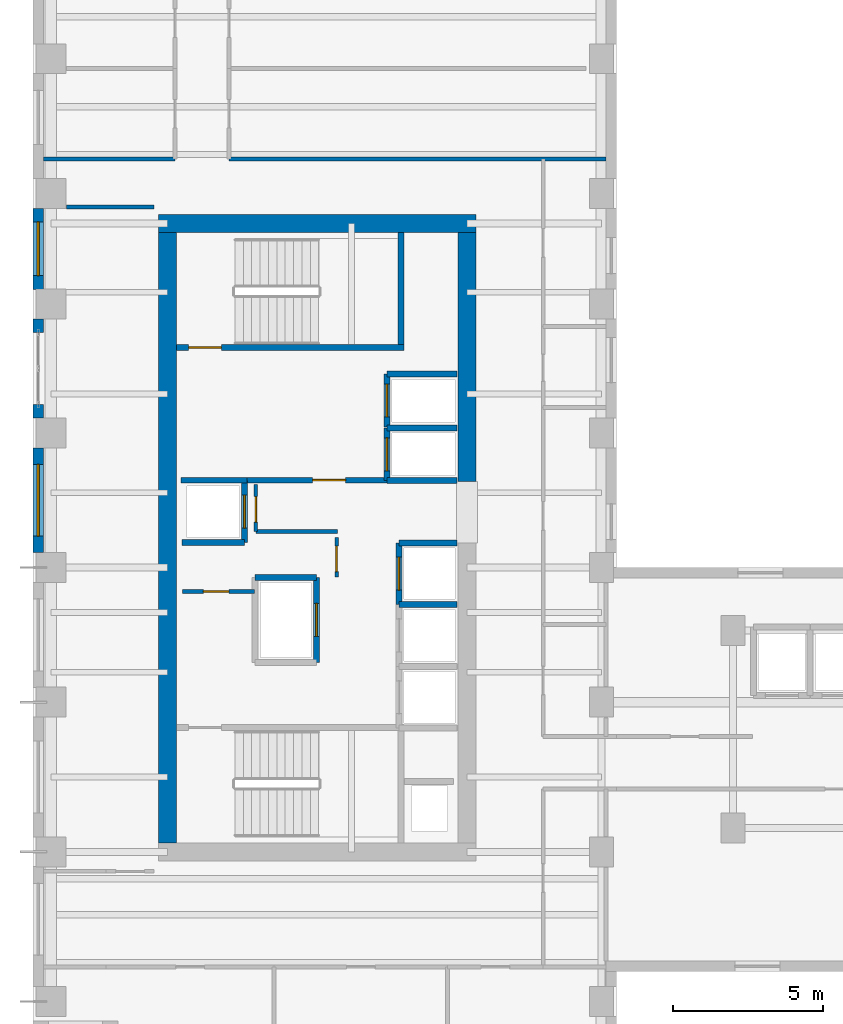
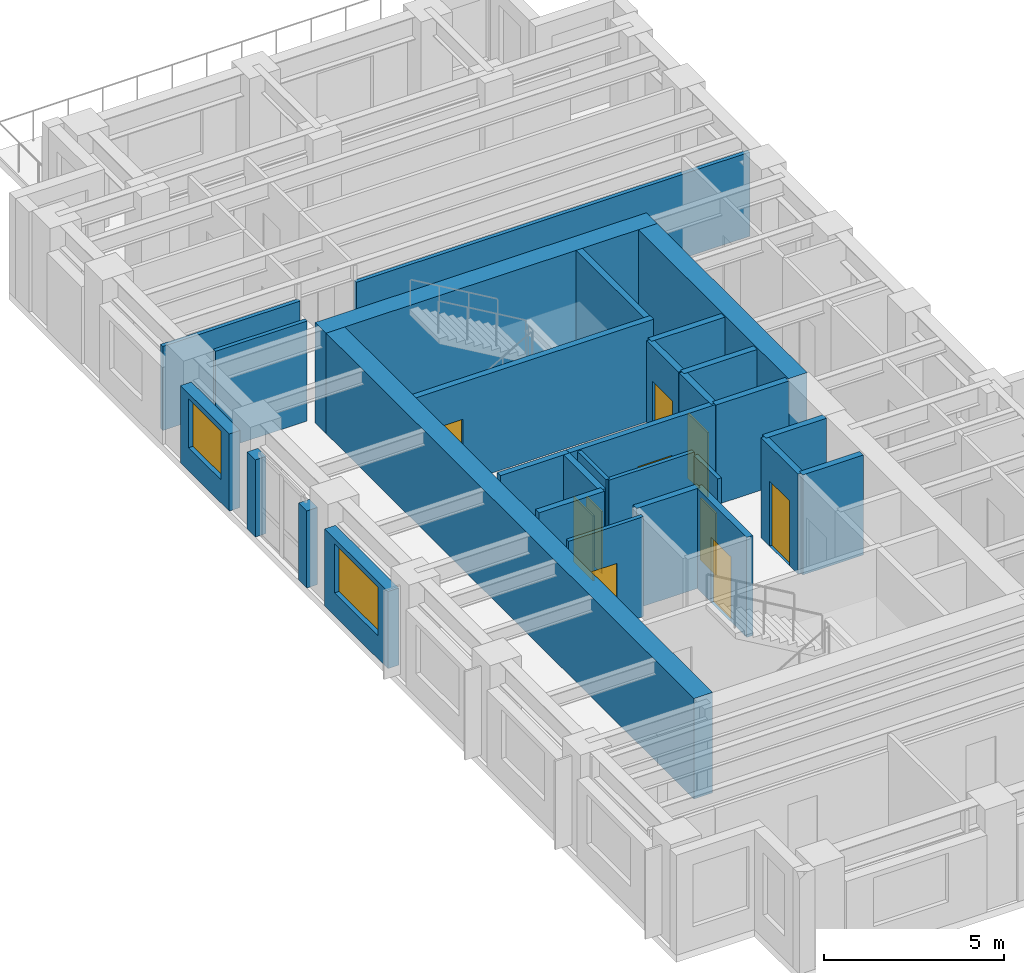
# One storey, part 6 of 13: 30 walls, 10 doors, 2 windows, 12 openings.
"""IFC4 building model written with IfcOpenShell, lengths in metres."""

from ifc_helpers import new_model, si_unit, direction, frame, frame_2d, origin, place, context, subcontext, project, spatial, rectangle, extrude, source, transform, mapped, material, layer, layer_set, type_object, element, fill, save


model = new_model("IFC4")

# Units and contexts
model_context = context("Model", 3, precision=1e-05, world=origin(), true_north=direction((0.0, 1.0)))
body_context = subcontext(model_context, "Body", "Model", "MODEL_VIEW")
ifc_project = project(units=[si_unit("LENGTHUNIT", "METRE"), si_unit("AREAUNIT", "SQUARE_METRE"), si_unit("VOLUMEUNIT", "CUBIC_METRE"), si_unit("PLANEANGLEUNIT", "RADIAN"), si_unit("MASSUNIT", "GRAM", prefix="KILO")], contexts=[model_context])

# Site, building, storey
site_placement = place(None, origin())
site = spatial("IfcSite", under=ifc_project, at=site_placement, CompositionType="ELEMENT")
building_placement = place(site_placement, origin())
building = spatial("IfcBuilding", under=site, at=building_placement, Name="Kharzan Plaza Tower", CompositionType="ELEMENT")
storey_placement = place(building_placement, frame((0.0, 0.0, 143.10009765625)))
storey = spatial("IfcBuildingStorey", under=building, at=storey_placement, Name="L38", CompositionType="ELEMENT", Elevation=143.10009765625)

# Wall, opening, window
ifc_material_1 = material(Name="Concrete C40/50", Category="concrete")
ifc_layer_1 = layer(ifc_material_1, 0.35009765625)
ifc_layer_set_1 = layer_set([ifc_layer_1], Name="Concrete C40/50")
wall_type_1 = type_object("IfcWallType", Name="WL-EXT-MAS-Z3", PredefinedType="SOLIDWALL", material=ifc_layer_set_1)
wall_1_placement = place(storey_placement, frame((0.175048828125, 30.001953125, 0.0), z_axis=(0.0, 0.0, 1.0), x_axis=(0.0, -1.0, 0.0)))
wall_1 = element("IfcWall", 1, at=wall_1_placement, inside=storey, type_object=wall_type_1, Name="L38 Masonry-Frame Exterior Wall 12", PredefinedType="SOLIDWALL", context=body_context, shape_type="SweptSolid", body=[
    extrude(rectangle(XDim=2.703857421875, YDim=0.35009765625, at=frame_2d((1.35205078125, 0.0))), origin(), (0.0, 0.0, 1.0), 2.61181640625),
])
opening_1_placement = place(wall_1_placement, frame((0.451904296875, 0.0, 0.780029296875)))
opening_1 = element("IfcOpeningElement", 2, at=opening_1_placement, cuts=wall_1, Name="Opening W1", PredefinedType="OPENING", context=body_context, shape_type="SweptSolid", body=[
    extrude(rectangle(XDim=1.800048828125, YDim=1.652099609375, at=frame_2d((0.89990234375, 0.826171875))), frame((0.0, 0.18505859375, 0.0), z_axis=(0.0, -1.0, 0.0), x_axis=(1.0, 0.0, 0.0)), (0.0, 0.0, 1.0), 0.3701171875),
])
ifc_material_2 = material(Name="Low-E Double Glazing", Category="glass")
window_type_1 = type_object("IfcWindowType", Name="WN-REC-1800x2100", PartitioningType="SINGLE_PANEL", PredefinedType="WINDOW", material=ifc_material_2)
shared_shape_1 = source(origin(), body_context, "Body", "SweptSolid", [
    extrude(rectangle(XDim=1.800048828125, YDim=1.652099609375, at=frame_2d((0.89990234375, 0.826171875))), frame((0.0, 0.030029296875, 0.0), z_axis=(0.0, -1.0, 0.0), x_axis=(1.0, 0.0, 0.0)), (0.0, 0.0, 1.0), 0.06005859375),
])
window_1_placement = place(opening_1_placement, origin())
window_1 = element("IfcWindow", 3, at=window_1_placement, inside=storey, type_object=window_type_1, Name="L38 Recessed Solar-Control Window 12-1", OverallHeight=1.652099609375, OverallWidth=1.800048828125, PartitioningType="SINGLE_PANEL", PredefinedType="WINDOW", context=body_context, shape_type="MappedRepresentation", body=[
    mapped(shared_shape_1, transform((0.0, 0.0, 0.0), x_axis=(1.0, 0.0, 0.0), y_axis=(0.0, 1.0, 0.0), z_axis=(0.0, 0.0, 1.0))),
])
fill(opening_1, window_1)

wall_2_placement = place(storey_placement, frame((0.175048828125, 22.001953125, 0.0), z_axis=(0.0, 0.0, 1.0), x_axis=(0.0, -1.0, 0.0)))
wall_2 = element("IfcWall", 4, at=wall_2_placement, inside=storey, type_object=wall_type_1, Name="L38 Masonry-Frame Exterior Wall 15", PredefinedType="SOLIDWALL", context=body_context, shape_type="SweptSolid", body=[
    extrude(rectangle(XDim=3.50390625, YDim=0.35009765625, at=frame_2d((1.751953125, 0.0))), origin(), (0.0, 0.0, 1.0), 2.61181640625),
])
opening_2_placement = place(wall_2_placement, frame((0.552001953125, 0.0, 0.780029296875)))
opening_2 = element("IfcOpeningElement", 5, at=opening_2_placement, cuts=wall_2, Name="Opening W2", PredefinedType="OPENING", context=body_context, shape_type="SweptSolid", body=[
    extrude(rectangle(XDim=2.39990234375, YDim=1.652099609375, at=frame_2d((1.199951171875, 0.826171875))), frame((0.0, 0.18505859375, 0.0), z_axis=(0.0, -1.0, 0.0), x_axis=(1.0, 0.0, 0.0)), (0.0, 0.0, 1.0), 0.3701171875),
])
window_type_2 = type_object("IfcWindowType", Name="WN-REC-2400x2100", PartitioningType="SINGLE_PANEL", PredefinedType="WINDOW", material=ifc_material_2)
shared_shape_2 = source(origin(), body_context, "Body", "SweptSolid", [
    extrude(rectangle(XDim=2.39990234375, YDim=1.652099609375, at=frame_2d((1.199951171875, 0.826171875))), frame((0.0, 0.030029296875, 0.0), z_axis=(0.0, -1.0, 0.0), x_axis=(1.0, 0.0, 0.0)), (0.0, 0.0, 1.0), 0.06005859375),
])
window_2_placement = place(opening_2_placement, origin())
window_2 = element("IfcWindow", 6, at=window_2_placement, inside=storey, type_object=window_type_2, Name="L38 Wide Recessed Solar-Control Window 15-1", OverallHeight=1.652099609375, OverallWidth=2.39990234375, PartitioningType="SINGLE_PANEL", PredefinedType="WINDOW", context=body_context, shape_type="MappedRepresentation", body=[
    mapped(shared_shape_2, transform((0.0, 0.0, 0.0), x_axis=(1.0, 0.0, 0.0), y_axis=(0.0, 1.0, 0.0), z_axis=(0.0, 0.0, 1.0))),
])
fill(opening_2, window_2)

# Wall, opening, door
ifc_layer_2 = layer(ifc_material_1, 0.179931640625)
ifc_layer_set_2 = layer_set([ifc_layer_2], Name="Concrete C40/50")
wall_type_2 = type_object("IfcWallType", Name="WL-INT-FIRE-180", PredefinedType="PARTITIONING", material=ifc_layer_set_2)
wall_3_placement = place(storey_placement, frame((7.14990234375, 20.919921875, 0.0), z_axis=(0.0, 0.0, 1.0), x_axis=(1.0, 0.0, 0.0)))
wall_3 = element("IfcWall", 7, at=wall_3_placement, inside=storey, type_object=wall_type_2, Name="L38 Interior Partition CA-FF-S", PredefinedType="PARTITIONING", context=body_context, shape_type="SweptSolid", body=[
    extrude(rectangle(XDim=4.68017578125, YDim=0.179931640625, at=frame_2d((2.340087890625, 0.0))), origin(), (0.0, 0.0, 1.0), 3.385009765625),
])
opening_3_placement = place(wall_3_placement, frame((2.199951171875, 0.0, 0.0)))
opening_3 = element("IfcOpeningElement", 8, at=opening_3_placement, cuts=wall_3, Name="Opening FD1", PredefinedType="OPENING", context=body_context, shape_type="SweptSolid", body=[
    extrude(rectangle(XDim=1.10009765625, YDim=2.14990234375, at=frame_2d((0.550048828125, 1.074951171875))), frame((0.0, 0.099853515625, 0.0), z_axis=(0.0, -1.0, 0.0), x_axis=(1.0, 0.0, 0.0)), (0.0, 0.0, 1.0), 0.199951171875),
])
ifc_material_3 = material(Name="Fire-Rated Acoustic Vision-Panel Steel", Category="steel")
door_type_1 = type_object("IfcDoorType", Name="DR-FIRE-LOBBY", OperationType="NOTDEFINED", PredefinedType="DOOR", material=ifc_material_3)
shared_shape_3 = source(origin(), body_context, "Body", "SweptSolid", [
    extrude(rectangle(XDim=1.10009765625, YDim=2.14990234375, at=frame_2d((0.550048828125, 1.074951171875))), frame((0.0, 0.02490234375, 0.0), z_axis=(0.0, -1.0, 0.0), x_axis=(1.0, 0.0, 0.0)), (0.0, 0.0, 1.0), 0.050048828125),
])
door_1_placement = place(opening_3_placement, origin())
door_1 = element("IfcDoor", 9, at=door_1_placement, inside=storey, type_object=door_type_1, Name="L38 Firefighting Lobby Door", OperationType="SINGLE_SWING_LEFT", OverallHeight=2.14990234375, OverallWidth=1.10009765625, PredefinedType="DOOR", context=body_context, shape_type="MappedRepresentation", body=[
    mapped(shared_shape_3, transform((0.0, 0.0, 0.0), x_axis=(1.0, 0.0, 0.0), y_axis=(0.0, 1.0, 0.0), z_axis=(0.0, 0.0, 1.0))),
])
fill(opening_3, door_1)

ifc_material_4 = material(Name="Fire-Rated Gypsum Board Partition", Category="gypsum")
ifc_layer_3 = layer(ifc_material_4, 0.125)
ifc_layer_set_3 = layer_set([ifc_layer_3], Name="Fire-Rated Gypsum Board Partition")
wall_type_3 = type_object("IfcWallType", Name="WL-INT-PART-125", PredefinedType="PARTITIONING", material=ifc_layer_set_3)
wall_4_placement = place(storey_placement, frame((10.14990234375, 17.679931640625, 0.0), z_axis=(0.0, 0.0, 1.0), x_axis=(0.0, 1.0, 0.0)))
wall_4 = element("IfcWall", 10, at=wall_4_placement, inside=storey, type_object=wall_type_3, Name="L38 Interior Partition CA-K2A", PredefinedType="PARTITIONING", context=body_context, shape_type="SweptSolid", body=[
    extrude(rectangle(XDim=1.320068359375, YDim=0.125, at=frame_2d((0.66015625, 0.0))), origin(), (0.0, 0.0, 1.0), 3.385009765625),
])
opening_4_placement = place(wall_4_placement, frame((0.18505859375, 0.0, 0.0)))
opening_4 = element("IfcOpeningElement", 11, at=opening_4_placement, cuts=wall_4, Name="Opening RD1", PredefinedType="OPENING", context=body_context, shape_type="SweptSolid", body=[
    extrude(rectangle(XDim=0.85009765625, YDim=2.10009765625, at=frame_2d((0.425048828125, 1.050048828125))), frame((0.0, 0.072509765625, 0.0), z_axis=(0.0, -1.0, 0.0), x_axis=(1.0, 0.0, 0.0)), (0.0, 0.0, 1.0), 0.14501953125),
])
ifc_material_5 = material(Name="Powder-Coated Fire-Rated Steel", Category="steel")
door_type_2 = type_object("IfcDoorType", Name="DR-RISER-900", OperationType="NOTDEFINED", PredefinedType="DOOR", material=ifc_material_5)
shared_shape_4 = source(origin(), body_context, "Body", "SweptSolid", [
    extrude(rectangle(XDim=0.85009765625, YDim=2.10009765625, at=frame_2d((0.425048828125, 1.050048828125))), frame((0.0, 0.02490234375, 0.0), z_axis=(0.0, -1.0, 0.0), x_axis=(1.0, 0.0, 0.0)), (0.0, 0.0, 1.0), 0.050048828125),
])
door_2_placement = place(opening_4_placement, origin())
door_2 = element("IfcDoor", 12, at=door_2_placement, inside=storey, type_object=door_type_2, Name="L38 Core Mechanical Store Door", OperationType="SINGLE_SWING_RIGHT", OverallHeight=2.10009765625, OverallWidth=0.85009765625, PredefinedType="DOOR", context=body_context, shape_type="MappedRepresentation", body=[
    mapped(shared_shape_4, transform((0.0, 0.0, 0.0), x_axis=(1.0, 0.0, 0.0), y_axis=(0.0, 1.0, 0.0), z_axis=(0.0, 0.0, 1.0))),
])
fill(opening_4, door_2)

wall_5_placement = place(storey_placement, frame((7.449951171875, 19.199951171875, 0.0), z_axis=(0.0, 0.0, 1.0), x_axis=(0.0, 1.0, 0.0)))
wall_5 = element("IfcWall", 13, at=wall_5_placement, inside=storey, type_object=wall_type_3, Name="L38 Interior Partition CA-K2B", PredefinedType="PARTITIONING", context=body_context, shape_type="SweptSolid", body=[
    extrude(rectangle(XDim=1.580078125, YDim=0.125, at=frame_2d((0.7900390625, 0.0))), origin(), (0.0, 0.0, 1.0), 3.385009765625),
])
opening_5_placement = place(wall_5_placement, frame((0.31494140625, 0.0, 0.0)))
opening_5 = element("IfcOpeningElement", 14, at=opening_5_placement, cuts=wall_5, Name="Opening RD1", PredefinedType="OPENING", context=body_context, shape_type="SweptSolid", body=[
    extrude(rectangle(XDim=0.85009765625, YDim=2.10009765625, at=frame_2d((0.425048828125, 1.050048828125))), frame((0.0, 0.072509765625, 0.0), z_axis=(0.0, -1.0, 0.0), x_axis=(1.0, 0.0, 0.0)), (0.0, 0.0, 1.0), 0.14501953125),
])
door_3_placement = place(opening_5_placement, origin())
door_3 = element("IfcDoor", 15, at=door_3_placement, inside=storey, type_object=door_type_2, Name="L38 Core Plant Store Door", OperationType="SINGLE_SWING_LEFT", OverallHeight=2.10009765625, OverallWidth=0.85009765625, PredefinedType="DOOR", context=body_context, shape_type="MappedRepresentation", body=[
    mapped(shared_shape_4, transform((0.0, 0.0, 0.0), x_axis=(1.0, 0.0, 0.0), y_axis=(0.0, 1.0, 0.0), z_axis=(0.0, 0.0, 1.0))),
])
fill(opening_5, door_3)

wall_6_placement = place(storey_placement, frame((5.0, 17.199951171875, 0.0), z_axis=(0.0, 0.0, 1.0), x_axis=(1.0, 0.0, 0.0)))
wall_6 = element("IfcWall", 16, at=wall_6_placement, inside=storey, type_object=wall_type_3, Name="L38 Interior Partition CA-K2N0", PredefinedType="PARTITIONING", context=body_context, shape_type="SweptSolid", body=[
    extrude(rectangle(XDim=2.39990234375, YDim=0.125, at=frame_2d((1.199951171875, 0.0))), origin(), (0.0, 0.0, 1.0), 3.385009765625),
])
opening_6_placement = place(wall_6_placement, frame((0.699951171875, 0.0, 0.0)))
opening_6 = element("IfcOpeningElement", 17, at=opening_6_placement, cuts=wall_6, Name="Opening RD1", PredefinedType="OPENING", context=body_context, shape_type="SweptSolid", body=[
    extrude(rectangle(XDim=0.85009765625, YDim=2.10009765625, at=frame_2d((0.425048828125, 1.050048828125))), frame((0.0, 0.072509765625, 0.0), z_axis=(0.0, -1.0, 0.0), x_axis=(1.0, 0.0, 0.0)), (0.0, 0.0, 1.0), 0.14501953125),
])
door_4_placement = place(opening_6_placement, origin())
door_4 = element("IfcDoor", 18, at=door_4_placement, inside=storey, type_object=door_type_2, Name="L38 Core Electrical Store Door", OperationType="SINGLE_SWING_LEFT", OverallHeight=2.10009765625, OverallWidth=0.85009765625, PredefinedType="DOOR", context=body_context, shape_type="MappedRepresentation", body=[
    mapped(shared_shape_4, transform((0.0, 0.0, 0.0), x_axis=(1.0, 0.0, 0.0), y_axis=(0.0, 1.0, 0.0), z_axis=(0.0, 0.0, 1.0))),
])
fill(opening_6, door_4)

ifc_layer_4 = layer(ifc_material_1, 0.199951171875)
ifc_layer_set_4 = layer_set([ifc_layer_4], Name="Concrete C40/50")
wall_type_4 = type_object("IfcWallType", Name="WL-INT-SHAFT-200", PredefinedType="PARTITIONING", material=ifc_layer_set_4)
wall_7_placement = place(storey_placement, frame((11.830078125, 20.89990234375, 0.0), z_axis=(0.0, 0.0, 1.0), x_axis=(0.0, 1.0, 0.0)))
wall_7 = element("IfcWall", 19, at=wall_7_placement, inside=storey, type_object=wall_type_4, Name="L38 Interior Partition SHF-FFL-1-W", PredefinedType="PARTITIONING", context=body_context, shape_type="SweptSolid", body=[
    extrude(rectangle(XDim=1.760009765625, YDim=0.199951171875, at=frame_2d((0.8798828125, 0.0))), origin(), (0.0, 0.0, 1.0), 3.385009765625),
])
opening_7_placement = place(wall_7_placement, frame((0.330078125, 0.0, 0.0)))
opening_7 = element("IfcOpeningElement", 20, at=opening_7_placement, cuts=wall_7, Name="Opening LD", PredefinedType="OPENING", context=body_context, shape_type="SweptSolid", body=[
    extrude(rectangle(XDim=1.10009765625, YDim=2.199951171875, at=frame_2d((0.550048828125, 1.10009765625))), frame((0.0, 0.10986328125, 0.0), z_axis=(0.0, -1.0, 0.0), x_axis=(1.0, 0.0, 0.0)), (0.0, 0.0, 1.0), 0.219970703125),
])
ifc_material_6 = material(Name="Brushed Stainless Steel", Category="steel")
door_type_3 = type_object("IfcDoorType", Name="DR-LIFT-SLIDE", OperationType="SLIDING_TO_LEFT", PredefinedType="DOOR", material=ifc_material_6)
shared_shape_5 = source(origin(), body_context, "Body", "SweptSolid", [
    extrude(rectangle(XDim=1.10009765625, YDim=2.199951171875, at=frame_2d((0.550048828125, 1.10009765625))), frame((0.0, 0.02490234375, 0.0), z_axis=(0.0, -1.0, 0.0), x_axis=(1.0, 0.0, 0.0)), (0.0, 0.0, 1.0), 0.050048828125),
])
door_5_placement = place(opening_7_placement, origin())
door_5 = element("IfcDoor", 21, at=door_5_placement, inside=storey, type_object=door_type_3, Name="L38 Firefighting Lift FFL-1 Sliding Landing Door", OperationType="SLIDING_TO_LEFT", OverallHeight=2.199951171875, OverallWidth=1.10009765625, PredefinedType="DOOR", context=body_context, shape_type="MappedRepresentation", body=[
    mapped(shared_shape_5, transform((0.0, 0.0, 0.0), x_axis=(1.0, 0.0, 0.0), y_axis=(0.0, 1.0, 0.0), z_axis=(0.0, 0.0, 1.0))),
])
fill(opening_7, door_5)

wall_8_placement = place(storey_placement, frame((11.830078125, 22.699951171875, 0.0), z_axis=(0.0, 0.0, 1.0), x_axis=(0.0, 1.0, 0.0)))
wall_8 = element("IfcWall", 22, at=wall_8_placement, inside=storey, type_object=wall_type_4, Name="L38 Interior Partition SHF-FFL-2-W", PredefinedType="PARTITIONING", context=body_context, shape_type="SweptSolid", body=[
    extrude(rectangle(XDim=1.760009765625, YDim=0.199951171875, at=frame_2d((0.8798828125, 0.0))), origin(), (0.0, 0.0, 1.0), 3.385009765625),
])
opening_8_placement = place(wall_8_placement, frame((0.330078125, 0.0, 0.0)))
opening_8 = element("IfcOpeningElement", 23, at=opening_8_placement, cuts=wall_8, Name="Opening LD", PredefinedType="OPENING", context=body_context, shape_type="SweptSolid", body=[
    extrude(rectangle(XDim=1.10009765625, YDim=2.199951171875, at=frame_2d((0.550048828125, 1.10009765625))), frame((0.0, 0.10986328125, 0.0), z_axis=(0.0, -1.0, 0.0), x_axis=(1.0, 0.0, 0.0)), (0.0, 0.0, 1.0), 0.219970703125),
])
door_6_placement = place(opening_8_placement, origin())
door_6 = element("IfcDoor", 24, at=door_6_placement, inside=storey, type_object=door_type_3, Name="L38 Firefighting Lift FFL-2 Sliding Landing Door", OperationType="SLIDING_TO_LEFT", OverallHeight=2.199951171875, OverallWidth=1.10009765625, PredefinedType="DOOR", context=body_context, shape_type="MappedRepresentation", body=[
    mapped(shared_shape_5, transform((0.0, 0.0, 0.0), x_axis=(1.0, 0.0, 0.0), y_axis=(0.0, 1.0, 0.0), z_axis=(0.0, 0.0, 1.0))),
])
fill(opening_8, door_6)

wall_9_placement = place(storey_placement, frame((12.22998046875, 16.77001953125, 0.0), z_axis=(0.0, 0.0, 1.0), x_axis=(0.0, 1.0, 0.0)))
wall_9 = element("IfcWall", 25, at=wall_9_placement, inside=storey, type_object=wall_type_4, Name="L38 Interior Partition SHF-PL-H3-W", PredefinedType="PARTITIONING", context=body_context, shape_type="SweptSolid", body=[
    extrude(rectangle(XDim=2.050048828125, YDim=0.199951171875, at=frame_2d((1.02490234375, 0.0))), origin(), (0.0, 0.0, 1.0), 3.385009765625),
])
opening_9_placement = place(wall_9_placement, frame((0.47509765625, 0.0, 0.0)))
opening_9 = element("IfcOpeningElement", 26, at=opening_9_placement, cuts=wall_9, Name="Opening LD", PredefinedType="OPENING", context=body_context, shape_type="SweptSolid", body=[
    extrude(rectangle(XDim=1.10009765625, YDim=2.199951171875, at=frame_2d((0.550048828125, 1.10009765625))), frame((0.0, 0.10986328125, 0.0), z_axis=(0.0, -1.0, 0.0), x_axis=(1.0, 0.0, 0.0)), (0.0, 0.0, 1.0), 0.219970703125),
])
door_7_placement = place(opening_9_placement, origin())
door_7 = element("IfcDoor", 27, at=door_7_placement, inside=storey, type_object=door_type_3, Name="L38 High-Rise Passenger Lift PL-H3 Sliding Landing Door", OperationType="SLIDING_TO_LEFT", OverallHeight=2.199951171875, OverallWidth=1.10009765625, PredefinedType="DOOR", context=body_context, shape_type="MappedRepresentation", body=[
    mapped(shared_shape_5, transform((0.0, 0.0, 0.0), x_axis=(1.0, 0.0, 0.0), y_axis=(0.0, 1.0, 0.0), z_axis=(0.0, 0.0, 1.0))),
])
fill(opening_9, door_7)

wall_10_placement = place(storey_placement, frame((7.070068359375, 18.840087890625, 0.0), z_axis=(0.0, 0.0, 1.0), x_axis=(0.0, 1.0, 0.0)))
wall_10 = element("IfcWall", 28, at=wall_10_placement, inside=storey, type_object=wall_type_4, Name="L38 Interior Partition SHF-PL-H4-E", PredefinedType="PARTITIONING", context=body_context, shape_type="SweptSolid", body=[
    extrude(rectangle(XDim=2.059814453125, YDim=0.199951171875, at=frame_2d((1.02978515625, 0.0))), origin(), (0.0, 0.0, 1.0), 3.385009765625),
])
opening_10_placement = place(wall_10_placement, frame((0.47998046875, 0.0, 0.0)))
opening_10 = element("IfcOpeningElement", 29, at=opening_10_placement, cuts=wall_10, Name="Opening LD", PredefinedType="OPENING", context=body_context, shape_type="SweptSolid", body=[
    extrude(rectangle(XDim=1.10009765625, YDim=2.199951171875, at=frame_2d((0.550048828125, 1.10009765625))), frame((0.0, 0.10986328125, 0.0), z_axis=(0.0, -1.0, 0.0), x_axis=(1.0, 0.0, 0.0)), (0.0, 0.0, 1.0), 0.219970703125),
])
door_8_placement = place(opening_10_placement, origin())
door_8 = element("IfcDoor", 30, at=door_8_placement, inside=storey, type_object=door_type_3, Name="L38 High-Rise Passenger Lift PL-H4 Sliding Landing Door", OperationType="SLIDING_TO_LEFT", OverallHeight=2.199951171875, OverallWidth=1.10009765625, PredefinedType="DOOR", context=body_context, shape_type="MappedRepresentation", body=[
    mapped(shared_shape_5, transform((0.0, 0.0, 0.0), x_axis=(1.0, 0.0, 0.0), y_axis=(0.0, 1.0, 0.0), z_axis=(0.0, 0.0, 1.0))),
])
fill(opening_10, door_8)

wall_11_placement = place(storey_placement, frame((9.469970703125, 14.830078125, 0.0), z_axis=(0.0, 0.0, 1.0), x_axis=(0.0, 1.0, 0.0)))
wall_11 = element("IfcWall", 31, at=wall_11_placement, inside=storey, type_object=wall_type_4, Name="L38 Interior Partition SHF-SVL-1-E", PredefinedType="PARTITIONING", context=body_context, shape_type="SweptSolid", body=[
    extrude(rectangle(XDim=2.83984375, YDim=0.199951171875, at=frame_2d((1.419921875, 0.0))), origin(), (0.0, 0.0, 1.0), 3.385009765625),
])
opening_11_placement = place(wall_11_placement, frame((0.8701171875, 0.0, 0.0)))
opening_11 = element("IfcOpeningElement", 32, at=opening_11_placement, cuts=wall_11, Name="Opening LD", PredefinedType="OPENING", context=body_context, shape_type="SweptSolid", body=[
    extrude(rectangle(XDim=1.10009765625, YDim=2.199951171875, at=frame_2d((0.550048828125, 1.10009765625))), frame((0.0, 0.10986328125, 0.0), z_axis=(0.0, -1.0, 0.0), x_axis=(1.0, 0.0, 0.0)), (0.0, 0.0, 1.0), 0.219970703125),
])
door_9_placement = place(opening_11_placement, origin())
door_9 = element("IfcDoor", 33, at=door_9_placement, inside=storey, type_object=door_type_3, Name="L38 Service Lift SVL-1 Sliding Landing Door", OperationType="SLIDING_TO_LEFT", OverallHeight=2.199951171875, OverallWidth=1.10009765625, PredefinedType="DOOR", context=body_context, shape_type="MappedRepresentation", body=[
    mapped(shared_shape_5, transform((0.0, 0.0, 0.0), x_axis=(1.0, 0.0, 0.0), y_axis=(0.0, 1.0, 0.0), z_axis=(0.0, 0.0, 1.0))),
])
fill(opening_11, door_9)

ifc_material_7 = material(Name="Concrete C50/60", Category="concrete")
ifc_layer_5 = layer(ifc_material_7, 0.199951171875)
ifc_layer_set_5 = layer_set([ifc_layer_5], Name="Concrete C50/60")
wall_type_5 = type_object("IfcWallType", Name="WL-SHAFT-RC200", PredefinedType="SHEAR", material=ifc_layer_set_5)
wall_12_placement = place(storey_placement, frame((4.802001953125, 25.344970703125, 0.0), z_axis=(0.0, 0.0, 1.0), x_axis=(1.0, 0.0, 0.0)))
wall_12 = element("IfcWall", 34, at=wall_12_placement, inside=storey, type_object=wall_type_5, Name="L38 Stair ST-2 South RC Shaft Wall", PredefinedType="SHEAR", context=body_context, shape_type="SweptSolid", body=[
    extrude(rectangle(XDim=7.60302734375, YDim=0.199951171875, at=frame_2d((3.801513671875, 0.0))), origin(), (0.0, 0.0, 1.0), 3.39990234375),
])
opening_12_placement = place(wall_12_placement, frame((0.39990234375, 0.0, 0.0)))
opening_12 = element("IfcOpeningElement", 35, at=opening_12_placement, cuts=wall_12, Name="Opening SD1", PredefinedType="OPENING", context=body_context, shape_type="SweptSolid", body=[
    extrude(rectangle(XDim=1.10009765625, YDim=2.14990234375, at=frame_2d((0.550048828125, 1.074951171875))), frame((0.0, 0.10986328125, 0.0), z_axis=(0.0, -1.0, 0.0), x_axis=(1.0, 0.0, 0.0)), (0.0, 0.0, 1.0), 0.219970703125),
])
ifc_material_8 = material(Name="Fire-Rated Hollow Galvanized Steel", Category="steel")
door_type_4 = type_object("IfcDoorType", Name="DR-STAIR-FD120", OperationType="NOTDEFINED", PredefinedType="DOOR", material=ifc_material_8)
shared_shape_6 = source(origin(), body_context, "Body", "SweptSolid", [
    extrude(rectangle(XDim=1.10009765625, YDim=2.14990234375, at=frame_2d((0.550048828125, 1.074951171875))), frame((0.0, 0.02490234375, 0.0), z_axis=(0.0, -1.0, 0.0), x_axis=(1.0, 0.0, 0.0)), (0.0, 0.0, 1.0), 0.050048828125),
])
door_10_placement = place(opening_12_placement, origin())
door_10 = element("IfcDoor", 36, at=door_10_placement, inside=storey, type_object=door_type_4, Name="L38 Stair ST-2 Fire Exit Door", OperationType="SINGLE_SWING_RIGHT", OverallHeight=2.14990234375, OverallWidth=1.10009765625, PredefinedType="DOOR", context=body_context, shape_type="MappedRepresentation", body=[
    mapped(shared_shape_6, transform((0.0, 0.0, 0.0), x_axis=(1.0, 0.0, 0.0), y_axis=(0.0, 1.0, 0.0), z_axis=(0.0, 0.0, 1.0))),
])
fill(opening_12, door_10)

# Walls
ifc_layer_6 = layer(ifc_material_7, 0.60009765625)
ifc_layer_set_6 = layer_set([ifc_layer_6], Name="Concrete C50/60")
wall_type_6 = type_object("IfcWallType", Name="WL-CORE-600", PredefinedType="SHEAR", material=ifc_layer_set_6)
shared_shape_7 = source(origin(), body_context, "Body", "SweptSolid", [
    extrude(rectangle(XDim=8.320068359375, YDim=0.60009765625, at=frame_2d((4.16015625, 0.0))), origin(), (0.0, 0.0, 1.0), 3.39990234375),
])
wall_13_placement = place(storey_placement, frame((14.5, 20.8798828125, 0.0), z_axis=(0.0, 0.0, 1.0), x_axis=(0.0, 1.0, 0.0)))
element("IfcWall", 37, at=wall_13_placement, inside=storey, type_object=wall_type_6, Name="L38 CORE-A east shear pier 2", PredefinedType="SHEAR", context=body_context, shape_type="MappedRepresentation", body=[
    mapped(shared_shape_7, transform((0.0, 0.0, 0.0), x_axis=(1.0, 0.0, 0.0), y_axis=(0.0, 1.0, 0.0), z_axis=(0.0, 0.0, 1.0))),
])
shared_shape_8 = source(origin(), body_context, "Body", "SweptSolid", [
    extrude(rectangle(XDim=10.60009765625, YDim=0.60009765625, at=frame_2d((5.300048828125, 0.0))), origin(), (0.0, 0.0, 1.0), 3.39990234375),
])
wall_14_placement = place(storey_placement, frame((4.199951171875, 29.5, 0.0), z_axis=(0.0, 0.0, 1.0), x_axis=(1.0, 0.0, 0.0)))
element("IfcWall", 38, at=wall_14_placement, inside=storey, type_object=wall_type_6, Name="L38 CORE-A north RC shear wall", PredefinedType="SHEAR", context=body_context, shape_type="MappedRepresentation", body=[
    mapped(shared_shape_8, transform((0.0, 0.0, 0.0), x_axis=(1.0, 0.0, 0.0), y_axis=(0.0, 1.0, 0.0), z_axis=(0.0, 0.0, 1.0))),
])
shared_shape_9 = source(origin(), body_context, "Body", "SweptSolid", [
    extrude(rectangle(XDim=20.39990234375, YDim=0.60009765625, at=frame_2d((10.199951171875, 0.0))), origin(), (0.0, 0.0, 1.0), 3.39990234375),
])
wall_15_placement = place(storey_placement, frame((4.5, 8.800048828125, 0.0), z_axis=(0.0, 0.0, 1.0), x_axis=(0.0, 1.0, 0.0)))
element("IfcWall", 39, at=wall_15_placement, inside=storey, type_object=wall_type_6, Name="L38 CORE-A west RC shear wall", PredefinedType="SHEAR", context=body_context, shape_type="MappedRepresentation", body=[
    mapped(shared_shape_9, transform((0.0, 0.0, 0.0), x_axis=(1.0, 0.0, 0.0), y_axis=(0.0, 1.0, 0.0), z_axis=(0.0, 0.0, 1.0))),
])
shared_shape_10 = source(origin(), body_context, "Body", "SweptSolid", [
    extrude(rectangle(XDim=0.451904296875, YDim=0.35009765625, at=frame_2d((0.22607421875, 0.0))), origin(), (0.0, 0.0, 1.0), 2.61181640625),
])
for number, where, z_axis, x_axis, name in (
    (40, (0.175048828125, 26.302001953125, 0.0), (0.0, 0.0, 1.0), (0.0, -1.0, 0.0), "L38 Masonry-Frame Exterior Wall 13"),
    (41, (0.175048828125, 23.449951171875, 0.0), (0.0, 0.0, 1.0), (0.0, -1.0, 0.0), "L38 Masonry-Frame Exterior Wall 14"),
):
    element("IfcWall", number, at=place(storey_placement, frame(where, z_axis=z_axis, x_axis=x_axis)), inside=storey, type_object=wall_type_1, Name=name, PredefinedType="SOLIDWALL", context=body_context, shape_type="MappedRepresentation", body=[
        mapped(shared_shape_10, transform((0.0, 0.0, 0.0), x_axis=(1.0, 0.0, 0.0), y_axis=(0.0, 1.0, 0.0), z_axis=(0.0, 0.0, 1.0))),
    ])
shared_shape_11 = source(origin(), body_context, "Body", "SweptSolid", [
    extrude(rectangle(XDim=2.199951171875, YDim=0.179931640625, at=frame_2d((1.10009765625, 0.0))), origin(), (0.0, 0.0, 1.0), 3.385009765625),
])
wall_16_placement = place(storey_placement, frame((4.949951171875, 20.919921875, 0.0), z_axis=(0.0, 0.0, 1.0), x_axis=(1.0, 0.0, 0.0)))
element("IfcWall", 42, at=wall_16_placement, inside=storey, type_object=wall_type_2, Name="L38 Interior Partition CA-FF-SW", PredefinedType="PARTITIONING", context=body_context, shape_type="MappedRepresentation", body=[
    mapped(shared_shape_11, transform((0.0, 0.0, 0.0), x_axis=(1.0, 0.0, 0.0), y_axis=(0.0, 1.0, 0.0), z_axis=(0.0, 0.0, 1.0))),
])
shared_shape_12 = source(origin(), body_context, "Body", "SweptSolid", [
    extrude(rectangle(XDim=2.72998046875, YDim=0.125, at=frame_2d((1.364990234375, 0.0))), origin(), (0.0, 0.0, 1.0), 3.385009765625),
])
wall_17_placement = place(storey_placement, frame((7.449951171875, 19.199951171875, 0.0), z_axis=(0.0, 0.0, 1.0), x_axis=(1.0, 0.0, 0.0)))
element("IfcWall", 43, at=wall_17_placement, inside=storey, type_object=wall_type_3, Name="L38 Interior Partition CA-K2M", PredefinedType="PARTITIONING", context=body_context, shape_type="MappedRepresentation", body=[
    mapped(shared_shape_12, transform((0.0, 0.0, 0.0), x_axis=(1.0, 0.0, 0.0), y_axis=(0.0, 1.0, 0.0), z_axis=(0.0, 0.0, 1.0))),
])
shared_shape_13 = source(origin(), body_context, "Body", "SweptSolid", [
    extrude(rectangle(XDim=12.597900390625, YDim=0.125, at=frame_2d((6.298828125, 0.0))), origin(), (0.0, 0.0, 1.0), 2.847900390625),
])
wall_18_placement = place(storey_placement, frame((6.550048828125, 31.64990234375, 0.0), z_axis=(0.0, 0.0, 1.0), x_axis=(1.0, 0.0, 0.0)))
element("IfcWall", 44, at=wall_18_placement, inside=storey, type_object=wall_type_3, Name="L38 Interior Partition SH-NNE", PredefinedType="PARTITIONING", context=body_context, shape_type="MappedRepresentation", body=[
    mapped(shared_shape_13, transform((0.0, 0.0, 0.0), x_axis=(1.0, 0.0, 0.0), y_axis=(0.0, 1.0, 0.0), z_axis=(0.0, 0.0, 1.0))),
])
shared_shape_14 = source(origin(), body_context, "Body", "SweptSolid", [
    extrude(rectangle(XDim=4.39794921875, YDim=0.125, at=frame_2d((2.198974609375, 0.0))), origin(), (0.0, 0.0, 1.0), 2.847900390625),
])
wall_19_placement = place(storey_placement, frame((0.35205078125, 31.64990234375, 0.0), z_axis=(0.0, 0.0, 1.0), x_axis=(1.0, 0.0, 0.0)))
element("IfcWall", 45, at=wall_19_placement, inside=storey, type_object=wall_type_3, Name="L38 Interior Partition SH-NNW", PredefinedType="PARTITIONING", context=body_context, shape_type="MappedRepresentation", body=[
    mapped(shared_shape_14, transform((0.0, 0.0, 0.0), x_axis=(1.0, 0.0, 0.0), y_axis=(0.0, 1.0, 0.0), z_axis=(0.0, 0.0, 1.0))),
])
shared_shape_15 = source(origin(), body_context, "Body", "SweptSolid", [
    extrude(rectangle(XDim=2.929931640625, YDim=0.125, at=frame_2d((1.46484375, 0.0))), origin(), (0.0, 0.0, 1.0), 3.385009765625),
])
wall_20_placement = place(storey_placement, frame((1.1201171875, 30.050048828125, 0.0), z_axis=(0.0, 0.0, 1.0), x_axis=(1.0, 0.0, 0.0)))
element("IfcWall", 46, at=wall_20_placement, inside=storey, type_object=wall_type_3, Name="L38 Interior Partition SH-RWN0", PredefinedType="PARTITIONING", context=body_context, shape_type="MappedRepresentation", body=[
    mapped(shared_shape_15, transform((0.0, 0.0, 0.0), x_axis=(1.0, 0.0, 0.0), y_axis=(0.0, 1.0, 0.0), z_axis=(0.0, 0.0, 1.0))),
])
shared_shape_16 = source(origin(), body_context, "Body", "SweptSolid", [
    extrude(rectangle(XDim=2.33984375, YDim=0.199951171875, at=frame_2d((1.169921875, 0.0))), origin(), (0.0, 0.0, 1.0), 3.385009765625),
])
for number, where, z_axis, x_axis, name in (
    (47, (11.830078125, 22.659912109375, 0.0), (0.0, 0.0, 1.0), (1.0, 0.0, 0.0), "L38 Interior Partition SHF-FFL-1-N"),
    (48, (11.830078125, 20.89990234375, 0.0), (0.0, 0.0, 1.0), (1.0, 0.0, 0.0), "L38 Interior Partition SHF-FFL-1-S"),
    (49, (11.830078125, 24.4599609375, 0.0), (0.0, 0.0, 1.0), (1.0, 0.0, 0.0), "L38 Interior Partition SHF-FFL-2-N"),
):
    element("IfcWall", number, at=place(storey_placement, frame(where, z_axis=z_axis, x_axis=x_axis)), inside=storey, type_object=wall_type_4, Name=name, PredefinedType="PARTITIONING", context=body_context, shape_type="MappedRepresentation", body=[
        mapped(shared_shape_16, transform((0.0, 0.0, 0.0), x_axis=(1.0, 0.0, 0.0), y_axis=(0.0, 1.0, 0.0), z_axis=(0.0, 0.0, 1.0))),
    ])
shared_shape_17 = source(origin(), body_context, "Body", "SweptSolid", [
    extrude(rectangle(XDim=1.93994140625, YDim=0.199951171875, at=frame_2d((0.969970703125, 0.0))), origin(), (0.0, 0.0, 1.0), 3.385009765625),
])
for number, where, z_axis, x_axis, name in (
    (50, (12.22998046875, 16.77001953125, 0.0), (0.0, 0.0, 1.0), (1.0, 0.0, 0.0), "L38 Interior Partition SHF-PL-H2-N"),
    (51, (12.22998046875, 18.820068359375, 0.0), (0.0, 0.0, 1.0), (1.0, 0.0, 0.0), "L38 Interior Partition SHF-PL-H3-N"),
):
    element("IfcWall", number, at=place(storey_placement, frame(where, z_axis=z_axis, x_axis=x_axis)), inside=storey, type_object=wall_type_4, Name=name, PredefinedType="PARTITIONING", context=body_context, shape_type="MappedRepresentation", body=[
        mapped(shared_shape_17, transform((0.0, 0.0, 0.0), x_axis=(1.0, 0.0, 0.0), y_axis=(0.0, 1.0, 0.0), z_axis=(0.0, 0.0, 1.0))),
    ])
shared_shape_18 = source(origin(), body_context, "Body", "SweptSolid", [
    extrude(rectangle(XDim=2.090087890625, YDim=0.199951171875, at=frame_2d((1.044921875, 0.0))), origin(), (0.0, 0.0, 1.0), 3.385009765625),
])
wall_21_placement = place(storey_placement, frame((4.97998046875, 18.840087890625, 0.0), z_axis=(0.0, 0.0, 1.0), x_axis=(1.0, 0.0, 0.0)))
element("IfcWall", 52, at=wall_21_placement, inside=storey, type_object=wall_type_4, Name="L38 Interior Partition SHF-PL-H4-S", PredefinedType="PARTITIONING", context=body_context, shape_type="MappedRepresentation", body=[
    mapped(shared_shape_18, transform((0.0, 0.0, 0.0), x_axis=(1.0, 0.0, 0.0), y_axis=(0.0, 1.0, 0.0), z_axis=(0.0, 0.0, 1.0))),
])
shared_shape_19 = source(origin(), body_context, "Body", "SweptSolid", [
    extrude(rectangle(XDim=2.0400390625, YDim=0.199951171875, at=frame_2d((1.02001953125, 0.0))), origin(), (0.0, 0.0, 1.0), 3.385009765625),
])
wall_22_placement = place(storey_placement, frame((7.429931640625, 17.669921875, 0.0), z_axis=(0.0, 0.0, 1.0), x_axis=(1.0, 0.0, 0.0)))
element("IfcWall", 53, at=wall_22_placement, inside=storey, type_object=wall_type_4, Name="L38 Interior Partition SHF-SVL-1-N", PredefinedType="PARTITIONING", context=body_context, shape_type="MappedRepresentation", body=[
    mapped(shared_shape_19, transform((0.0, 0.0, 0.0), x_axis=(1.0, 0.0, 0.0), y_axis=(0.0, 1.0, 0.0), z_axis=(0.0, 0.0, 1.0))),
])
shared_shape_20 = source(origin(), body_context, "Body", "SweptSolid", [
    extrude(rectangle(XDim=3.7529296875, YDim=0.199951171875, at=frame_2d((1.87646484375, 0.0))), origin(), (0.0, 0.0, 1.0), 3.39990234375),
])
wall_23_placement = place(storey_placement, frame((12.304931640625, 25.445068359375, 0.0), z_axis=(0.0, 0.0, 1.0), x_axis=(0.0, 1.0, 0.0)))
element("IfcWall", 54, at=wall_23_placement, inside=storey, type_object=wall_type_5, Name="L38 Stair ST-2 East RC Shaft Wall", PredefinedType="SHEAR", context=body_context, shape_type="MappedRepresentation", body=[
    mapped(shared_shape_20, transform((0.0, 0.0, 0.0), x_axis=(1.0, 0.0, 0.0), y_axis=(0.0, 1.0, 0.0), z_axis=(0.0, 0.0, 1.0))),
])

save(model, "model.ifc")
